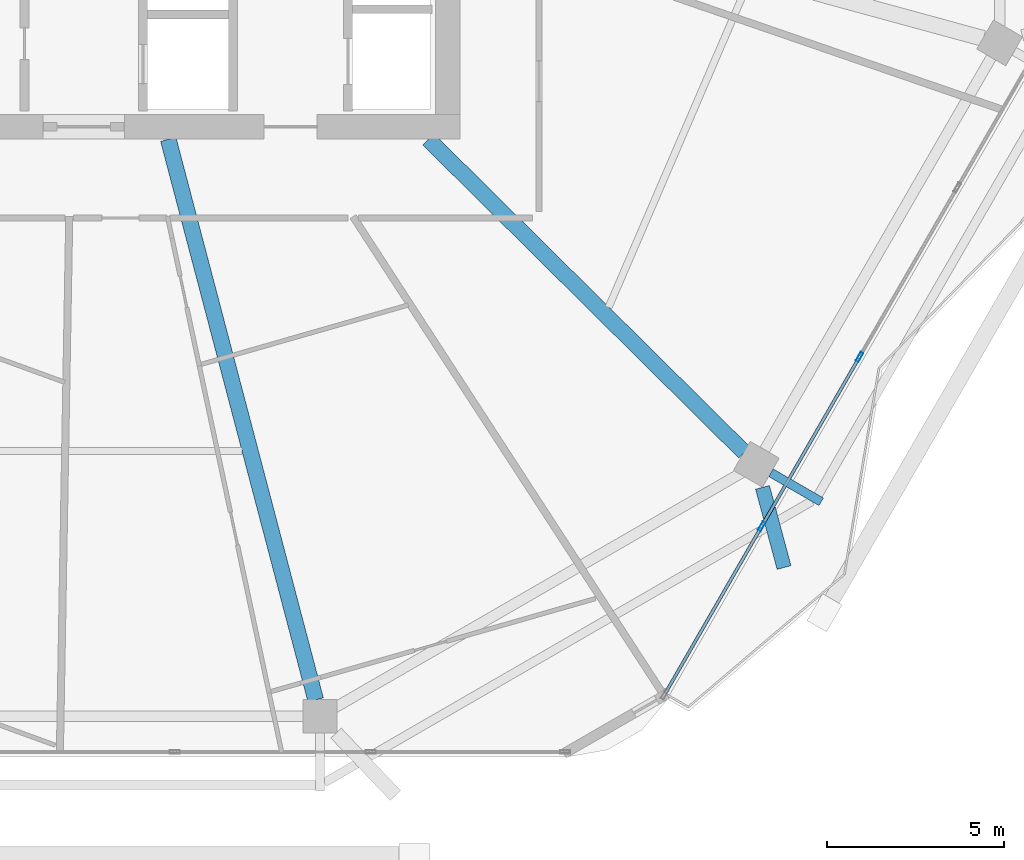
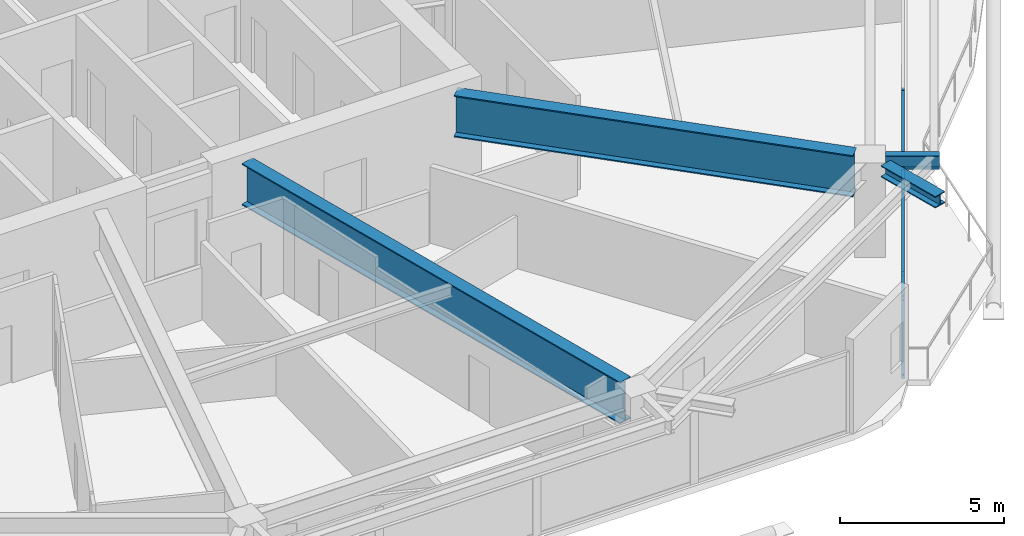
# One storey, part 9 of 28: 6 members, 4 beams, 1 element without a shape of its own.
"""IFC4 building model written with IfcOpenShell, lengths in metres."""

from ifc_helpers import new_model, si_unit, direction, frame, origin, origin_2d, place, context, subcontext, project, spatial, hollow_rectangle, i_section, extrude, material, material_profile, profile_set, type_object, element, aggregate, save


model = new_model("IFC4")

# Units and contexts
model_context = context("Model", 3, precision=1e-05, world=origin(), true_north=direction((0.0, 1.0)))
body_context = subcontext(model_context, "Body", "Model", "MODEL_VIEW")
ifc_project = project(units=[si_unit("LENGTHUNIT", "METRE"), si_unit("AREAUNIT", "SQUARE_METRE"), si_unit("VOLUMEUNIT", "CUBIC_METRE"), si_unit("PLANEANGLEUNIT", "RADIAN"), si_unit("MASSUNIT", "GRAM", prefix="KILO")], contexts=[model_context])

# Site, building, storey
site_placement = place(None, origin())
site = spatial("IfcSite", under=ifc_project, at=site_placement, CompositionType="ELEMENT")
building_placement = place(site_placement, origin())
building = spatial("IfcBuilding", under=site, at=building_placement, Name="Zuhravey Tower", CompositionType="ELEMENT")
storey_placement = place(building_placement, frame((0.0, 0.0, 222.60009765625)))
storey = spatial("IfcBuildingStorey", under=building, at=storey_placement, Name="L56", CompositionType="ELEMENT", Elevation=222.60009765625)

# Curtain wall, members
ifc_material_1 = material(Name="Thermally broken anodised aluminium", Category="aluminium")
curtain_wall_type = type_object("IfcCurtainWallType", Name="Zone 1-2 Residential Curtain Wall CW3", PredefinedType="NOTDEFINED", material=ifc_material_1)
curtain_wall_placement = place(storey_placement, origin())
curtain_wall = element("IfcCurtainWall", 1, at=curtain_wall_placement, inside=storey, type_object=curtain_wall_type, Name="L56 CW3 CW-L56-F6-2", PredefinedType="NOTDEFINED")
ifc_material_2 = material(Name="Anodised aluminium", Category="aluminium")
ifc_material_profile_1 = material_profile(ifc_material_2, hollow_rectangle(XDim=0.090087890625, YDim=0.284912109375, WallThickness=0.0048828125, at=origin_2d()), Name="ALU-RHS-90x285x5")
ifc_profile_set_1 = profile_set([ifc_material_profile_1], Name="Anodised aluminium")
member_type_1 = type_object("IfcMemberType", Name="Curtain-Wall Mullion 90x180", PredefinedType="MULLION", material=ifc_profile_set_1)
member_1_placement = place(storey_placement, frame((58.145263671875, 15.990478515625, 0.0), z_axis=(0.0, 0.0, 1.0), x_axis=(0.866025738172, -0.499999420824, 0.0)))
member_1 = element("IfcMember", 2, at=member_1_placement, type_object=member_type_1, Name="CW3 mullion 3", PredefinedType="MULLION", context=body_context, shape_type="SweptSolid", body=[
    extrude(hollow_rectangle(XDim=0.090087890625, YDim=0.284912109375, WallThickness=0.0048828125, at=origin_2d()), origin(), (0.0, 0.0, 1.0), 3.02001953125),
])
member_2_placement = place(storey_placement, frame((55.3779296875, 11.197509765625, 0.0), z_axis=(0.0, 0.0, 1.0), x_axis=(0.866025738172, -0.499999420824, 0.0)))
member_2 = element("IfcMember", 3, at=member_2_placement, type_object=member_type_1, Name="CW3 mullion 4", PredefinedType="MULLION", context=body_context, shape_type="SweptSolid", body=[
    extrude(hollow_rectangle(XDim=0.090087890625, YDim=0.284912109375, WallThickness=0.0048828125, at=origin_2d()), origin(), (0.0, 0.0, 1.0), 3.02001953125),
])
ifc_material_profile_2 = material_profile(ifc_material_2, hollow_rectangle(XDim=0.090087890625, YDim=0.14990234375, WallThickness=0.0048828125, at=origin_2d()), Name="ALU-RHS-90x150x5")
ifc_profile_set_2 = profile_set([ifc_material_profile_2], Name="Anodised aluminium")
member_type_2 = type_object("IfcMemberType", Name="Curtain-Wall Transom 90x150", PredefinedType="USERDEFINED", material=ifc_profile_set_2)
member_3_placement = place(storey_placement, frame((58.122802734375, 15.951416015625, 0.044921875), z_axis=(-0.500021330162, -0.86601308846, 0.0), x_axis=(0.86601308846, -0.500021330162, 0.0)))
member_3 = element("IfcMember", 4, at=member_3_placement, type_object=member_type_2, Name="CW3 transom 3.1", ObjectType="TRANSOM", PredefinedType="USERDEFINED", context=body_context, shape_type="SweptSolid", body=[
    extrude(hollow_rectangle(XDim=0.090087890625, YDim=0.14990234375, WallThickness=0.0048828125, at=origin_2d()), origin(), (0.0, 0.0, 1.0), 5.444580078125),
])
member_4_placement = place(storey_placement, frame((58.122802734375, 15.951416015625, 2.974853515625), z_axis=(-0.500021330162, -0.86601308846, 0.0), x_axis=(0.86601308846, -0.500021330162, 0.0)))
member_4 = element("IfcMember", 5, at=member_4_placement, type_object=member_type_2, Name="CW3 transom 3.2", ObjectType="TRANSOM", PredefinedType="USERDEFINED", context=body_context, shape_type="SweptSolid", body=[
    extrude(hollow_rectangle(XDim=0.090087890625, YDim=0.14990234375, WallThickness=0.0048828125, at=origin_2d()), origin(), (0.0, 0.0, 1.0), 5.444580078125),
])
member_5_placement = place(storey_placement, frame((55.35546875, 11.158447265625, 0.044921875), z_axis=(-0.500000349099, -0.866025202232, 0.0), x_axis=(0.866025202232, -0.500000349099, 0.0)))
member_5 = element("IfcMember", 6, at=member_5_placement, type_object=member_type_2, Name="CW3 transom 4.1", ObjectType="TRANSOM", PredefinedType="USERDEFINED", context=body_context, shape_type="SweptSolid", body=[
    extrude(hollow_rectangle(XDim=0.090087890625, YDim=0.14990234375, WallThickness=0.0048828125, at=origin_2d()), origin(), (0.0, 0.0, 1.0), 5.3994140625),
])
member_6_placement = place(storey_placement, frame((55.35546875, 11.158447265625, 2.974853515625), z_axis=(-0.500000349099, -0.866025202232, 0.0), x_axis=(0.866025202232, -0.500000349099, 0.0)))
member_6 = element("IfcMember", 7, at=member_6_placement, type_object=member_type_2, Name="CW3 transom 4.2", ObjectType="TRANSOM", PredefinedType="USERDEFINED", context=body_context, shape_type="SweptSolid", body=[
    extrude(hollow_rectangle(XDim=0.090087890625, YDim=0.14990234375, WallThickness=0.0048828125, at=origin_2d()), origin(), (0.0, 0.0, 1.0), 5.3994140625),
])
aggregate(curtain_wall, [member_1, member_2, member_3, member_4, member_5, member_6])

# Beams
ifc_material_3 = material(Name="Steel SM460", Category="steel")
ifc_material_profile_3 = material_profile(ifc_material_3, i_section(OverallWidth=0.406982421875, OverallDepth=0.427978515625, WebThickness=0.02001953125, FlangeThickness=0.034912109375, at=origin_2d()), Name="H-428x407x20x35")
ifc_profile_set_3 = profile_set([ifc_material_profile_3], Name="Steel SM460")
beam_type_1 = type_object("IfcBeamType", Name="Exoskeleton Node Tie Beam H428x407", PredefinedType="BEAM", material=ifc_profile_set_3)
beam_1_placement = place(storey_placement, frame((55.40087890625, 12.30126953125, 3.305908203125), z_axis=(0.259596890668, -0.965717067446, 0.0), x_axis=(0.965717067446, 0.259596890668, 0.0)))
element("IfcBeam", 8, at=beam_1_placement, inside=storey, type_object=beam_type_1, Name="L56 Exoskeleton Node Tie NT1-11", PredefinedType="BEAM", context=body_context, shape_type="SweptSolid", body=[
    extrude(i_section(OverallWidth=0.406982421875, OverallDepth=0.427978515625, WebThickness=0.02001953125, FlangeThickness=0.034912109375, at=origin_2d()), origin(), (0.0, 0.0, 1.0), 2.348388671875),
])
ifc_material_profile_4 = material_profile(ifc_material_3, i_section(OverallWidth=0.449951171875, OverallDepth=1.550048828125, WebThickness=0.02587890625, FlangeThickness=0.0419921875, at=origin_2d()), Name="H-1550x450x26x42")
ifc_profile_set_4 = profile_set([ifc_material_profile_4], Name="Steel SM460")
beam_type_2 = type_object("IfcBeamType", Name="Heavy Setback Transfer Girder H1550x450", PredefinedType="BEAM", material=ifc_profile_set_4)
beam_2_placement = place(storey_placement, frame((38.5908203125, 22.14697265625, 2.744873046875), z_axis=(0.254299806285, -0.967125435775, 0.0), x_axis=(0.967125435775, 0.254299806285, 0.0)))
element("IfcBeam", 9, at=beam_2_placement, inside=storey, type_object=beam_type_2, Name="L56 TG3 BM-L56-RAD-10", PredefinedType="BEAM", context=body_context, shape_type="SweptSolid", body=[
    extrude(i_section(OverallWidth=0.449951171875, OverallDepth=1.550048828125, WebThickness=0.02587890625, FlangeThickness=0.0419921875, at=origin_2d()), origin(), (0.0, 0.0, 1.0), 16.396728515625),
])
beam_3_placement = place(storey_placement, frame((45.945556640625, 22.14697265625, 2.744873046875), z_axis=(0.710406645816, -0.703791444663, 0.0), x_axis=(0.703791444663, 0.710406645816, 0.0)))
element("IfcBeam", 10, at=beam_3_placement, inside=storey, type_object=beam_type_2, Name="L56 TG3 BM-L56-RAD-11", PredefinedType="BEAM", context=body_context, shape_type="SweptSolid", body=[
    extrude(i_section(OverallWidth=0.449951171875, OverallDepth=1.550048828125, WebThickness=0.02587890625, FlangeThickness=0.0419921875, at=origin_2d()), origin(), (0.0, 0.0, 1.0), 12.5849609375),
])
ifc_material_4 = material(Name="Steel SM355", Category="steel")
ifc_material_profile_5 = material_profile(ifc_material_4, i_section(OverallWidth=0.25, OverallDepth=0.5, WebThickness=0.010009765625, FlangeThickness=0.01611328125, at=origin_2d()), Name="H-500x250x10x16")
ifc_profile_set_5 = profile_set([ifc_material_profile_5], Name="Steel SM355")
beam_type_3 = type_object("IfcBeamType", Name="Tray Cantilever Spandrel H500x250", PredefinedType="SPANDREL", material=ifc_profile_set_5)
beam_4_placement = place(storey_placement, frame((55.640380859375, 12.7138671875, 3.27001953125), z_axis=(0.866009679343, -0.500027234542, 0.0), x_axis=(0.500027234542, 0.866009679343, 0.0)))
element("IfcBeam", 11, at=beam_4_placement, inside=storey, type_object=beam_type_3, Name="L56 Sky-Tray Cantilever Arm TSB1-R11", PredefinedType="SPANDREL", context=body_context, shape_type="SweptSolid", body=[
    extrude(i_section(OverallWidth=0.25, OverallDepth=0.5, WebThickness=0.010009765625, FlangeThickness=0.01611328125, at=origin_2d()), origin(), (0.0, 0.0, 1.0), 1.64111328125),
])

save(model, "model.ifc")
